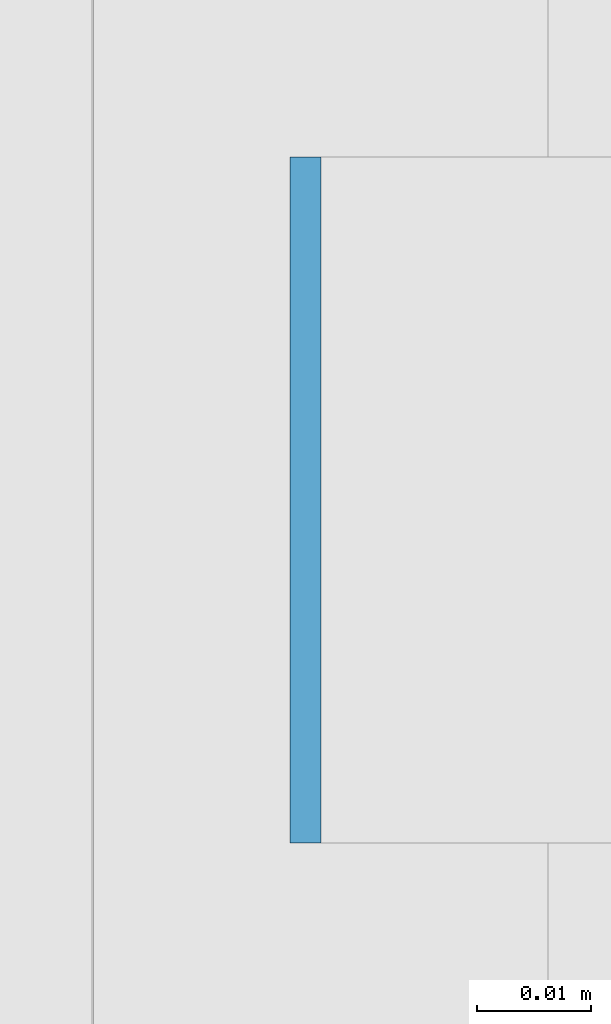
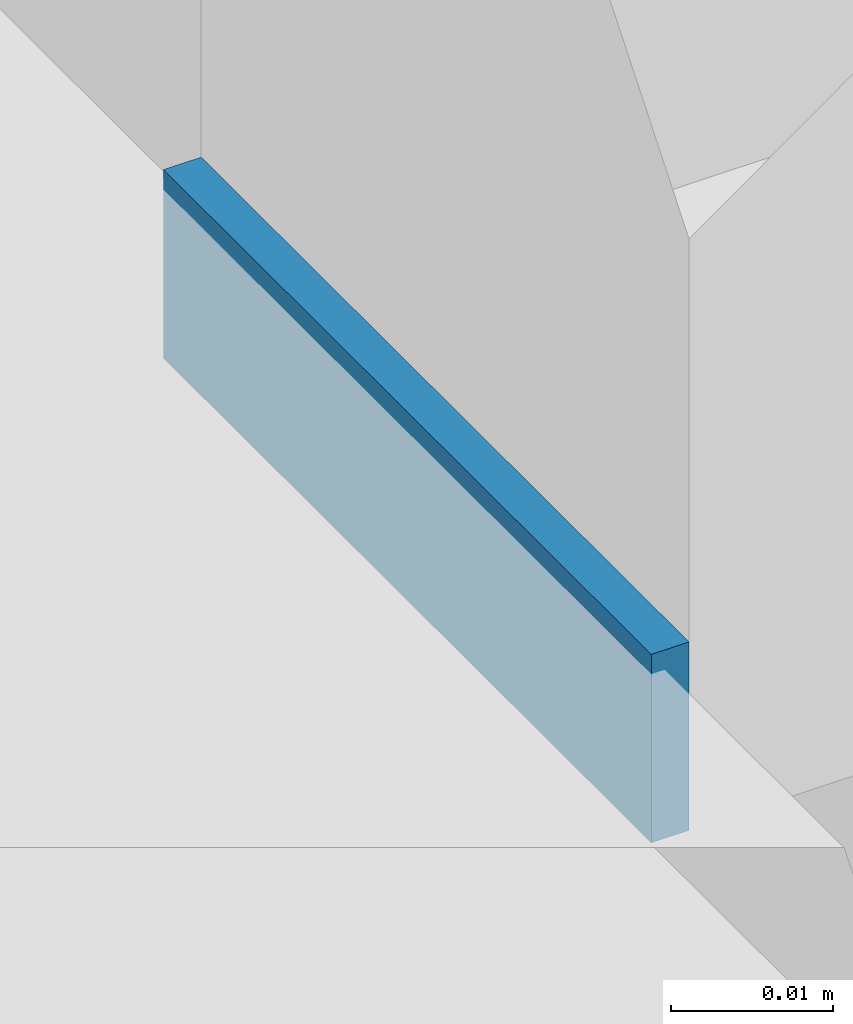
# One storey, part 516 of 646: 1 discrete accessory.
"""IFC4 building model written with IfcOpenShell, lengths in metres."""

from ifc_helpers import new_model, si_unit, direction, frame, origin, origin_2d, place, context, subcontext, project, spatial, rectangle, extrude, material, type_object, element, save


model = new_model("IFC4")

# Units and contexts
model_context = context("Model", 3, precision=1e-05, world=origin(), true_north=direction((0.0, 1.0)))
body_context = subcontext(model_context, "Body", "Model", "MODEL_VIEW")
ifc_project = project(units=[si_unit("LENGTHUNIT", "METRE"), si_unit("AREAUNIT", "SQUARE_METRE"), si_unit("VOLUMEUNIT", "CUBIC_METRE"), si_unit("PLANEANGLEUNIT", "RADIAN"), si_unit("MASSUNIT", "GRAM", prefix="KILO")], contexts=[model_context])

# Site, building, storey
site_placement = place(None, origin())
site = spatial("IfcSite", under=ifc_project, at=site_placement, CompositionType="ELEMENT")
building_placement = place(site_placement, origin())
building = spatial("IfcBuilding", under=site, at=building_placement, Name="Silverbay Arena", CompositionType="ELEMENT")
storey_placement = place(building_placement, frame((0.0, 0.0, 33.5)))
storey = spatial("IfcBuildingStorey", under=building, at=storey_placement, Name="L05", CompositionType="ELEMENT", Elevation=33.5)

# Discrete accessory
ifc_material = material(Name="Steel S355", Category="steel")
discrete_accessory_type = type_object("IfcDiscreteAccessoryType", Name="Steel bracket plate", PredefinedType="BRACKET", material=ifc_material)
discrete_accessory_placement = place(storey_placement, frame((207.128662109375, 75.857177734375, 4.0), z_axis=(0.0, 0.0, 1.0), x_axis=(1.0, 0.0, 0.0)))
element("IfcDiscreteAccessory", 1, at=discrete_accessory_placement, inside=storey, type_object=discrete_accessory_type, Name="Curtain wall packing plate", PredefinedType="BRACKET", context=body_context, shape_type="SweptSolid", body=[
    extrude(rectangle(XDim=0.002685546875, YDim=0.06005859375, at=origin_2d()), origin(), (0.0, 0.0, 1.0), 0.01416015625),
])

save(model, "model.ifc")
